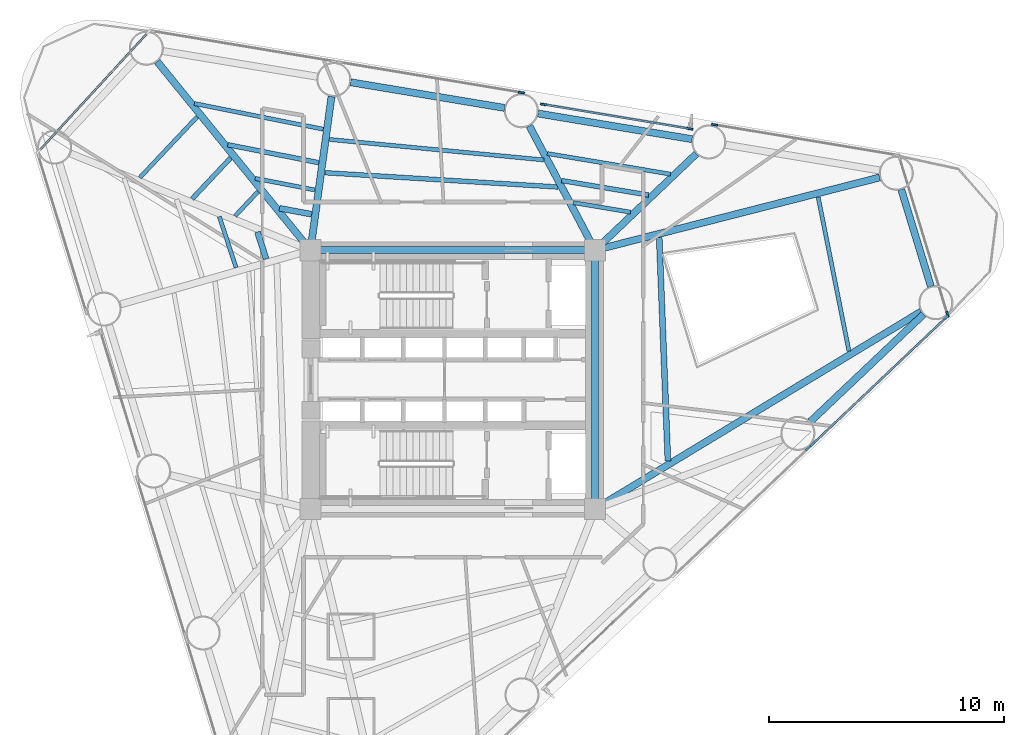
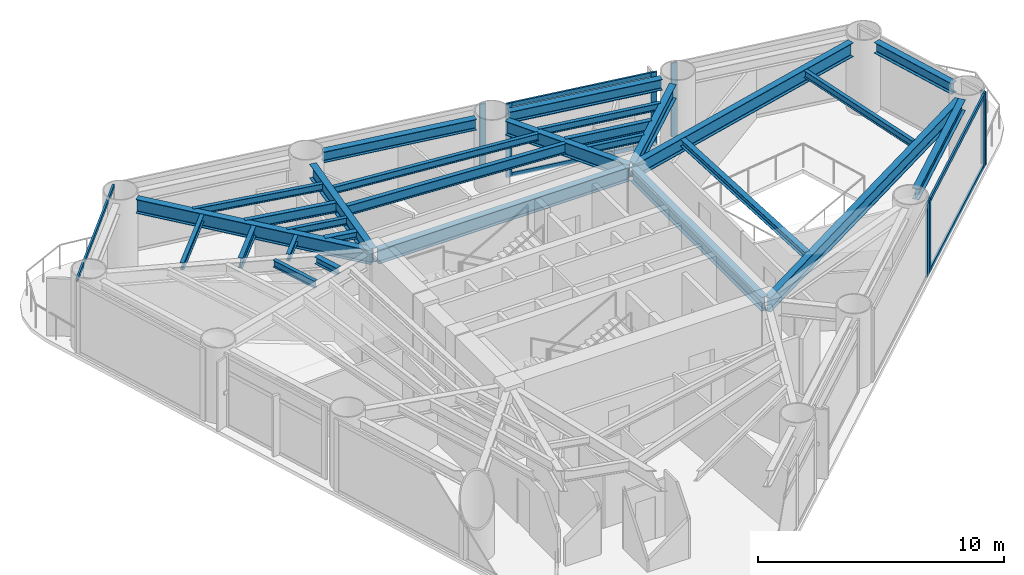
# One storey, part 3 of 10: 28 beams, 14 members, 7 elements without a shape of their own.
"""IFC4 building model written with IfcOpenShell, lengths in metres."""

from ifc_helpers import new_model, si_unit, direction, frame, origin, origin_2d, place, context, subcontext, project, spatial, rectangle, i_section, extrude, source, transform, mapped, material, layer, layer_set, material_profile, profile_set, type_object, element, aggregate, save


model = new_model("IFC4")

# Units and contexts
model_context = context("Model", 3, precision=1e-05, world=origin(), true_north=direction((0.0, 1.0)))
body_context = subcontext(model_context, "Body", "Model", "MODEL_VIEW")
ifc_project = project(units=[si_unit("LENGTHUNIT", "METRE"), si_unit("AREAUNIT", "SQUARE_METRE"), si_unit("VOLUMEUNIT", "CUBIC_METRE"), si_unit("PLANEANGLEUNIT", "RADIAN"), si_unit("MASSUNIT", "GRAM", prefix="KILO")], contexts=[model_context])

# Site, building, storey
site_placement = place(None, origin())
site = spatial("IfcSite", under=ifc_project, at=site_placement, CompositionType="ELEMENT")
building_placement = place(site_placement, origin())
building = spatial("IfcBuilding", under=site, at=building_placement, Name="Yunling Apex Tower", CompositionType="ELEMENT")
storey_placement = place(building_placement, frame((0.0, 0.0, 101.14990234375)))
storey = spatial("IfcBuildingStorey", under=building, at=storey_placement, Name="L25", CompositionType="ELEMENT", Elevation=101.14990234375)

# Beams
ifc_material_1 = material(Name="Steel Q355B", Category="steel")
ifc_material_profile_1 = material_profile(ifc_material_1, i_section(OverallWidth=0.300048828125, OverallDepth=0.699951171875, WebThickness=0.012939453125, FlangeThickness=0.02392578125, FilletRadius=0.02587890625, at=origin_2d()))
ifc_profile_set_1 = profile_set([ifc_material_profile_1], Name="Steel Q355B")
beam_type_1 = type_object("IfcBeamType", Name="BG-PRI-3", PredefinedType="USERDEFINED", material=ifc_profile_set_1)
shared_shape_1 = source(origin(), body_context, "Body", "SweptSolid", [
    extrude(i_section(OverallWidth=0.300048828125, OverallDepth=0.699951171875, WebThickness=0.012939453125, FlangeThickness=0.02392578125, FilletRadius=0.02587890625, at=origin_2d()), origin(), (0.0, 0.0, 1.0), 11.7998046875),
])
beam_1_placement = place(storey_placement, frame((5.89990234375, 5.5, 3.215087890625), z_axis=(-1.0, 0.0, 0.0), x_axis=(0.0, -1.0, 0.0)))
element("IfcBeam", 1, at=beam_1_placement, inside=storey, type_object=beam_type_1, Name="L25 Core Ring Tie Beam 3", ObjectType="GIRDER", PredefinedType="USERDEFINED", context=body_context, shape_type="MappedRepresentation", body=[
    mapped(shared_shape_1, transform((0.0, 0.0, 0.0), scale=1.0)),
])
shared_shape_2 = source(origin(), body_context, "Body", "SweptSolid", [
    extrude(i_section(OverallWidth=0.300048828125, OverallDepth=0.699951171875, WebThickness=0.012939453125, FlangeThickness=0.02392578125, FilletRadius=0.02587890625, at=origin_2d()), origin(), (0.0, 0.0, 1.0), 10.7001953125),
])
beam_2_placement = place(storey_placement, frame((6.050048828125, -5.35009765625, 3.215087890625), z_axis=(0.0, 1.0, 0.0), x_axis=(-1.0, 0.0, 0.0)))
element("IfcBeam", 2, at=beam_2_placement, inside=storey, type_object=beam_type_1, Name="L25 Core Ring Tie Beam 2", ObjectType="GIRDER", PredefinedType="USERDEFINED", context=body_context, shape_type="MappedRepresentation", body=[
    mapped(shared_shape_2, transform((0.0, 0.0, 0.0), scale=1.0)),
])
ifc_material_profile_2 = material_profile(ifc_material_1, i_section(OverallWidth=0.300048828125, OverallDepth=0.5400390625, WebThickness=0.011962890625, FlangeThickness=0.02001953125, FilletRadius=0.02392578125, at=origin_2d()))
ifc_profile_set_2 = profile_set([ifc_material_profile_2], Name="Steel Q355B")
beam_type_2 = type_object("IfcBeamType", Name="BP-SPN-1", PredefinedType="SPANDREL", material=ifc_profile_set_2)
shared_shape_3 = source(origin(), body_context, "Body", "SweptSolid", [
    extrude(i_section(OverallWidth=0.300048828125, OverallDepth=0.5400390625, WebThickness=0.011962890625, FlangeThickness=0.02001953125, FilletRadius=0.02392578125, at=origin_2d()), origin(), (0.0, 0.0, 1.0), 6.6416015625),
])
beam_3_placement = place(storey_placement, frame((15.194580078125, -1.79248046875, 3.295166015625), z_axis=(0.725873473547, 0.687828249203, 0.0), x_axis=(-0.687828249203, 0.725873473547, 0.0)))
element("IfcBeam", 3, at=beam_3_placement, inside=storey, type_object=beam_type_2, Name="L25 Perimeter Spandrel Beam 4", PredefinedType="SPANDREL", context=body_context, shape_type="MappedRepresentation", body=[
    mapped(shared_shape_3, transform((0.0, 0.0, 0.0), scale=1.0)),
])
shared_shape_4 = source(origin(), body_context, "Body", "SweptSolid", [
    extrude(i_section(OverallWidth=0.300048828125, OverallDepth=0.5400390625, WebThickness=0.011962890625, FlangeThickness=0.02001953125, FilletRadius=0.02392578125, at=origin_2d()), origin(), (0.0, 0.0, 1.0), 4.316162109375),
])
beam_4_placement = place(storey_placement, frame((20.327392578125, 3.9580078125, 3.295166015625), z_axis=(-0.29238810835, 0.956299740717, 0.0), x_axis=(-0.956299740717, -0.29238810835, 0.0)))
element("IfcBeam", 4, at=beam_4_placement, inside=storey, type_object=beam_type_2, Name="L25 Perimeter Spandrel Beam 5", PredefinedType="SPANDREL", context=body_context, shape_type="MappedRepresentation", body=[
    mapped(shared_shape_4, transform((0.0, 0.0, 0.0), scale=1.0)),
])
shared_shape_5 = source(origin(), body_context, "Body", "SweptSolid", [
    extrude(i_section(OverallWidth=0.300048828125, OverallDepth=0.5400390625, WebThickness=0.011962890625, FlangeThickness=0.02001953125, FilletRadius=0.02392578125, at=origin_2d()), origin(), (0.0, 0.0, 1.0), 6.641845703125),
])
for number, where, z_axis, x_axis, name in (
    (5, (10.176025390625, 10.21923828125, 3.295166015625), (-0.986402863526, 0.164345340146, 0.0), (-0.164345340146, -0.986402863526, 0.0), "L25 Perimeter Spandrel Beam 7"),
    (6, (2.206298828125, 11.547119140625, 3.295166015625), (-0.986396904036, 0.164381105081, 0.0), (-0.164381105081, -0.986396904036, 0.0), "L25 Perimeter Spandrel Beam 8"),
):
    element("IfcBeam", number, at=place(storey_placement, frame(where, z_axis=z_axis, x_axis=x_axis)), inside=storey, type_object=beam_type_2, Name=name, PredefinedType="SPANDREL", context=body_context, shape_type="MappedRepresentation", body=[
        mapped(shared_shape_5, transform((0.0, 0.0, 0.0), scale=1.0)),
    ])
shared_shape_6 = source(origin(), body_context, "Body", "SweptSolid", [
    extrude(i_section(OverallWidth=0.300048828125, OverallDepth=0.699951171875, WebThickness=0.012939453125, FlangeThickness=0.02392578125, FilletRadius=0.02587890625, at=origin_2d()), origin(), (0.0, 0.0, 1.0), 16.12255859375),
])
beam_5_placement = place(storey_placement, frame((19.91064453125, 2.890869140625, 3.215087890625), z_axis=(-0.855460711475, -0.517867715854, 0.0), x_axis=(0.517867715854, -0.855460711475, 0.0)))
element("IfcBeam", 7, at=beam_5_placement, inside=storey, type_object=beam_type_1, Name="L25 Radial Primary Girder R05", ObjectType="GIRDER", PredefinedType="USERDEFINED", context=body_context, shape_type="MappedRepresentation", body=[
    mapped(shared_shape_6, transform((0.0, 0.0, 0.0), scale=1.0)),
])
shared_shape_7 = source(origin(), body_context, "Body", "SweptSolid", [
    extrude(i_section(OverallWidth=0.300048828125, OverallDepth=0.699951171875, WebThickness=0.012939453125, FlangeThickness=0.02392578125, FilletRadius=0.02587890625, at=origin_2d()), origin(), (0.0, 0.0, 1.0), 12.404052734375),
])
beam_6_placement = place(storey_placement, frame((18.14501953125, 8.591552734375, 3.215087890625), z_axis=(-0.968850823376, -0.247645072723, 0.0), x_axis=(0.247645072723, -0.968850823376, 0.0)))
element("IfcBeam", 8, at=beam_6_placement, inside=storey, type_object=beam_type_1, Name="L25 Radial Primary Girder R06", ObjectType="GIRDER", PredefinedType="USERDEFINED", context=body_context, shape_type="MappedRepresentation", body=[
    mapped(shared_shape_7, transform((0.0, 0.0, 0.0), scale=1.0)),
])
shared_shape_8 = source(origin(), body_context, "Body", "SweptSolid", [
    extrude(i_section(OverallWidth=0.300048828125, OverallDepth=0.699951171875, WebThickness=0.012939453125, FlangeThickness=0.02392578125, FilletRadius=0.02587890625, at=origin_2d()), origin(), (0.0, 0.0, 1.0), 5.861572265625),
])
beam_7_placement = place(storey_placement, frame((10.354248046875, 9.595703125, 3.215087890625), z_axis=(-0.724444921608, -0.689332688588, 0.0), x_axis=(0.689332688588, -0.724444921608, 0.0)))
element("IfcBeam", 9, at=beam_7_placement, inside=storey, type_object=beam_type_1, Name="L25 Radial Primary Girder R07", ObjectType="GIRDER", PredefinedType="USERDEFINED", context=body_context, shape_type="MappedRepresentation", body=[
    mapped(shared_shape_8, transform((0.0, 0.0, 0.0), scale=1.0)),
])
shared_shape_9 = source(origin(), body_context, "Body", "SweptSolid", [
    extrude(i_section(OverallWidth=0.300048828125, OverallDepth=0.699951171875, WebThickness=0.012939453125, FlangeThickness=0.02392578125, FilletRadius=0.02587890625, at=origin_2d()), origin(), (0.0, 0.0, 1.0), 5.8935546875),
])
beam_8_placement = place(storey_placement, frame((3.258056640625, 10.781005859375, 3.215087890625), z_axis=(0.467396595772, -0.884047748858, 0.0), x_axis=(0.884047748858, 0.467396595772, 0.0)))
element("IfcBeam", 10, at=beam_8_placement, inside=storey, type_object=beam_type_1, Name="L25 Radial Primary Girder R08", ObjectType="GIRDER", PredefinedType="USERDEFINED", context=body_context, shape_type="MappedRepresentation", body=[
    mapped(shared_shape_9, transform((0.0, 0.0, 0.0), scale=1.0)),
])
shared_shape_10 = source(origin(), body_context, "Body", "SweptSolid", [
    extrude(i_section(OverallWidth=0.300048828125, OverallDepth=0.699951171875, WebThickness=0.012939453125, FlangeThickness=0.02392578125, FilletRadius=0.02587890625, at=origin_2d()), origin(), (0.0, 0.0, 1.0), 6.51171875),
])
beam_9_placement = place(storey_placement, frame((-5.154052734375, 12.03076171875, 3.215087890625), z_axis=(-0.135907866291, -0.990721480478, 0.0), x_axis=(0.990721480478, -0.135907866291, 0.0)))
element("IfcBeam", 11, at=beam_9_placement, inside=storey, type_object=beam_type_1, Name="L25 Radial Primary Girder R09", ObjectType="GIRDER", PredefinedType="USERDEFINED", context=body_context, shape_type="MappedRepresentation", body=[
    mapped(shared_shape_10, transform((0.0, 0.0, 0.0), scale=1.0)),
])
shared_shape_11 = source(origin(), body_context, "Body", "SweptSolid", [
    extrude(i_section(OverallWidth=0.300048828125, OverallDepth=0.699951171875, WebThickness=0.012939453125, FlangeThickness=0.02392578125, FilletRadius=0.02587890625, at=origin_2d()), origin(), (0.0, 0.0, 1.0), 10.248046875),
])
beam_10_placement = place(storey_placement, frame((-12.56201171875, 13.51611328125, 3.215087890625), z_axis=(0.630531635465, -0.776163550212, 0.0), x_axis=(0.776163550212, 0.630531635465, 0.0)))
element("IfcBeam", 12, at=beam_10_placement, inside=storey, type_object=beam_type_1, Name="L25 Radial Primary Girder R10", ObjectType="GIRDER", PredefinedType="USERDEFINED", context=body_context, shape_type="MappedRepresentation", body=[
    mapped(shared_shape_11, transform((0.0, 0.0, 0.0), scale=1.0)),
])
ifc_material_profile_3 = material_profile(ifc_material_1, i_section(OverallWidth=0.175048828125, OverallDepth=0.35009765625, WebThickness=0.007080078125, FlangeThickness=0.010986328125, FilletRadius=0.013916015625, at=origin_2d()))
ifc_profile_set_3 = profile_set([ifc_material_profile_3], Name="Steel Q355B")
beam_type_3 = type_object("IfcBeamType", Name="BJ-JST-1", PredefinedType="JOIST", material=ifc_profile_set_3)
shared_shape_12 = source(origin(), body_context, "Body", "SweptSolid", [
    extrude(i_section(OverallWidth=0.175048828125, OverallDepth=0.35009765625, WebThickness=0.007080078125, FlangeThickness=0.010986328125, FilletRadius=0.013916015625, at=origin_2d()), origin(), (0.0, 0.0, 1.0), 6.677978515625),
])
beam_11_placement = place(storey_placement, frame((16.844970703125, 1.2109375, 3.39013671875), z_axis=(-0.196502798026, 0.980503263823, 0.0), x_axis=(-0.980503263823, -0.196502798026, 0.0)))
element("IfcBeam", 13, at=beam_11_placement, inside=storey, type_object=beam_type_3, Name="L25 Composite Floor Joist BJ1-5", PredefinedType="JOIST", context=body_context, shape_type="MappedRepresentation", body=[
    mapped(shared_shape_12, transform((0.0, 0.0, 0.0), scale=1.0)),
])
ifc_material_profile_4 = material_profile(ifc_material_1, i_section(OverallWidth=0.25, OverallDepth=0.340087890625, WebThickness=0.009033203125, FlangeThickness=0.013916015625, FilletRadius=0.01806640625, at=origin_2d()))
ifc_profile_set_4 = profile_set([ifc_material_profile_4], Name="Steel Q355B")
beam_type_4 = type_object("IfcBeamType", Name="BJ-JST-2", PredefinedType="JOIST", material=ifc_profile_set_4)
shared_shape_13 = source(origin(), body_context, "Body", "SweptSolid", [
    extrude(i_section(OverallWidth=0.25, OverallDepth=0.340087890625, WebThickness=0.009033203125, FlangeThickness=0.013916015625, FilletRadius=0.01806640625, at=origin_2d()), origin(), (0.0, 0.0, 1.0), 9.504638671875),
])
beam_12_placement = place(storey_placement, frame((9.146484375, -3.4619140625, 3.39501953125), z_axis=(-0.038811925144, 0.999246533377, 0.0), x_axis=(-0.999246533377, -0.038811925144, 0.0)))
element("IfcBeam", 14, at=beam_12_placement, inside=storey, type_object=beam_type_4, Name="L25 Composite Floor Joist BJ2-5", PredefinedType="JOIST", context=body_context, shape_type="MappedRepresentation", body=[
    mapped(shared_shape_13, transform((0.0, 0.0, 0.0), scale=1.0)),
])
ifc_material_profile_5 = material_profile(ifc_material_1, i_section(OverallWidth=0.199951171875, OverallDepth=0.5, WebThickness=0.010009765625, FlangeThickness=0.01611328125, FilletRadius=0.02001953125, at=origin_2d()))
ifc_profile_set_5 = profile_set([ifc_material_profile_5], Name="Steel Q355B")
beam_type_5 = type_object("IfcBeamType", Name="BS-SEC-2", PredefinedType="BEAM", material=ifc_profile_set_5)
shared_shape_14 = source(origin(), body_context, "Body", "SweptSolid", [
    extrude(i_section(OverallWidth=0.199951171875, OverallDepth=0.5, WebThickness=0.010009765625, FlangeThickness=0.01611328125, FilletRadius=0.02001953125, at=origin_2d()), origin(), (0.0, 0.0, 1.0), 3.751708984375),
])
beam_13_placement = place(storey_placement, frame((8.328125, 7.84423828125, 3.315185546875), z_axis=(-0.986342871573, 0.164705008112, 0.0), x_axis=(-0.164705008112, -0.986342871573, 0.0)))
element("IfcBeam", 15, at=beam_13_placement, inside=storey, type_object=beam_type_5, Name="L25 Composite Floor Beam BS-7", PredefinedType="BEAM", context=body_context, shape_type="MappedRepresentation", body=[
    mapped(shared_shape_14, transform((0.0, 0.0, 0.0), scale=1.0)),
])
shared_shape_15 = source(origin(), body_context, "Body", "SweptSolid", [
    extrude(i_section(OverallWidth=0.175048828125, OverallDepth=0.35009765625, WebThickness=0.007080078125, FlangeThickness=0.010986328125, FilletRadius=0.013916015625, at=origin_2d()), origin(), (0.0, 0.0, 1.0), 5.31298828125),
])
beam_14_placement = place(storey_placement, frame((9.26220703125, 8.733154296875, 3.39013671875), z_axis=(-0.9863379805, 0.164734295835, 0.0), x_axis=(-0.164734295835, -0.9863379805, 0.0)))
element("IfcBeam", 16, at=beam_14_placement, inside=storey, type_object=beam_type_3, Name="L25 Composite Floor Joist BJ1-7", PredefinedType="JOIST", context=body_context, shape_type="MappedRepresentation", body=[
    mapped(shared_shape_15, transform((0.0, 0.0, 0.0), scale=1.0)),
])
shared_shape_16 = source(origin(), body_context, "Body", "SweptSolid", [
    extrude(i_section(OverallWidth=0.175048828125, OverallDepth=0.35009765625, WebThickness=0.007080078125, FlangeThickness=0.010986328125, FilletRadius=0.013916015625, at=origin_2d()), origin(), (0.0, 0.0, 1.0), 2.4736328125),
])
beam_15_placement = place(storey_placement, frame((7.563720703125, 7.116943359375, 3.39013671875), z_axis=(-0.986340524185, 0.164719064925, 0.0), x_axis=(-0.164719064925, -0.986340524185, 0.0)))
element("IfcBeam", 17, at=beam_15_placement, inside=storey, type_object=beam_type_3, Name="L25 Composite Floor Joist BJ3-7", PredefinedType="JOIST", context=body_context, shape_type="MappedRepresentation", body=[
    mapped(shared_shape_16, transform((0.0, 0.0, 0.0), scale=1.0)),
])
shared_shape_17 = source(origin(), body_context, "Body", "SweptSolid", [
    extrude(i_section(OverallWidth=0.199951171875, OverallDepth=0.5, WebThickness=0.010009765625, FlangeThickness=0.01611328125, FilletRadius=0.02001953125, at=origin_2d()), origin(), (0.0, 0.0, 1.0), 9.931396484375),
])
beam_16_placement = place(storey_placement, frame((4.4755859375, 8.185791015625, 3.315185546875), z_axis=(-0.998115763158, 0.061358971106, 0.0), x_axis=(-0.061358971106, -0.998115763158, 0.0)))
element("IfcBeam", 18, at=beam_16_placement, inside=storey, type_object=beam_type_5, Name="L25 Composite Floor Beam BS-8", PredefinedType="BEAM", context=body_context, shape_type="MappedRepresentation", body=[
    mapped(shared_shape_17, transform((0.0, 0.0, 0.0), scale=1.0)),
])
shared_shape_18 = source(origin(), body_context, "Body", "SweptSolid", [
    extrude(i_section(OverallWidth=0.175048828125, OverallDepth=0.35009765625, WebThickness=0.007080078125, FlangeThickness=0.010986328125, FilletRadius=0.013916015625, at=origin_2d()), origin(), (0.0, 0.0, 1.0), 9.154296875),
])
beam_17_placement = place(storey_placement, frame((3.8701171875, 9.33740234375, 3.39013671875), z_axis=(-0.99545727606, 0.095209303851, 0.0), x_axis=(-0.095209303851, -0.99545727606, 0.0)))
element("IfcBeam", 19, at=beam_17_placement, inside=storey, type_object=beam_type_3, Name="L25 Composite Floor Joist BJ1-8", PredefinedType="JOIST", context=body_context, shape_type="MappedRepresentation", body=[
    mapped(shared_shape_18, transform((0.0, 0.0, 0.0), scale=1.0)),
])
shared_shape_19 = source(origin(), body_context, "Body", "SweptSolid", [
    extrude(i_section(OverallWidth=0.199951171875, OverallDepth=0.5, WebThickness=0.010009765625, FlangeThickness=0.01611328125, FilletRadius=0.02001953125, at=origin_2d()), origin(), (0.0, 0.0, 1.0), 3.93603515625),
])
beam_18_placement = place(storey_placement, frame((-5.700439453125, 9.22314453125, 3.315185546875), z_axis=(-0.981071392503, 0.193646386002, 0.0), x_axis=(-0.193646386002, -0.981071392503, 0.0)))
element("IfcBeam", 20, at=beam_18_placement, inside=storey, type_object=beam_type_5, Name="L25 Composite Floor Beam BS-9", PredefinedType="BEAM", context=body_context, shape_type="MappedRepresentation", body=[
    mapped(shared_shape_19, transform((0.0, 0.0, 0.0), scale=1.0)),
])
shared_shape_20 = source(origin(), body_context, "Body", "SweptSolid", [
    extrude(i_section(OverallWidth=0.175048828125, OverallDepth=0.35009765625, WebThickness=0.007080078125, FlangeThickness=0.010986328125, FilletRadius=0.013916015625, at=origin_2d()), origin(), (0.0, 0.0, 1.0), 5.5859375),
])
beam_19_placement = place(storey_placement, frame((-5.505615234375, 10.642822265625, 3.39013671875), z_axis=(-0.980703200221, 0.195502514243, 0.0), x_axis=(-0.195502514243, -0.980703200221, 0.0)))
element("IfcBeam", 21, at=beam_19_placement, inside=storey, type_object=beam_type_3, Name="L25 Composite Floor Joist BJ1-9", PredefinedType="JOIST", context=body_context, shape_type="MappedRepresentation", body=[
    mapped(shared_shape_20, transform((0.0, 0.0, 0.0), scale=1.0)),
])
shared_shape_21 = source(origin(), body_context, "Body", "SweptSolid", [
    extrude(i_section(OverallWidth=0.175048828125, OverallDepth=0.35009765625, WebThickness=0.007080078125, FlangeThickness=0.010986328125, FilletRadius=0.013916015625, at=origin_2d()), origin(), (0.0, 0.0, 1.0), 2.586181640625),
])
beam_20_placement = place(storey_placement, frame((-5.85986328125, 8.061279296875, 3.39013671875), z_axis=(-0.981668903035, 0.190594241295, 0.0), x_axis=(-0.190594241295, -0.981668903035, 0.0)))
element("IfcBeam", 22, at=beam_20_placement, inside=storey, type_object=beam_type_3, Name="L25 Composite Floor Joist BJ3-9", PredefinedType="JOIST", context=body_context, shape_type="MappedRepresentation", body=[
    mapped(shared_shape_21, transform((0.0, 0.0, 0.0), scale=1.0)),
])
shared_shape_22 = source(origin(), body_context, "Body", "SweptSolid", [
    extrude(i_section(OverallWidth=0.25, OverallDepth=0.340087890625, WebThickness=0.009033203125, FlangeThickness=0.013916015625, FilletRadius=0.01806640625, at=origin_2d()), origin(), (0.0, 0.0, 1.0), 1.38671875),
])
beam_21_placement = place(storey_placement, frame((-6.001708984375, 7.028076171875, 3.39501953125), z_axis=(-0.982993560329, 0.183640029272, 0.0), x_axis=(-0.183640029272, -0.982993560329, 0.0)))
element("IfcBeam", 23, at=beam_21_placement, inside=storey, type_object=beam_type_4, Name="L25 Composite Floor Joist BJ2-9", PredefinedType="JOIST", context=body_context, shape_type="MappedRepresentation", body=[
    mapped(shared_shape_22, transform((0.0, 0.0, 0.0), scale=1.0)),
])
shared_shape_23 = source(origin(), body_context, "Body", "SweptSolid", [
    extrude(i_section(OverallWidth=0.199951171875, OverallDepth=0.5, WebThickness=0.010009765625, FlangeThickness=0.01611328125, FilletRadius=0.02001953125, at=origin_2d()), origin(), (0.0, 0.0, 1.0), 2.385498046875),
])
beam_22_placement = place(storey_placement, frame((-9.44091796875, 9.422607421875, 3.315185546875), z_axis=(-0.685604091154, -0.727974608207, 0.0), x_axis=(0.727974608207, -0.685604091154, 0.0)))
element("IfcBeam", 24, at=beam_22_placement, inside=storey, type_object=beam_type_5, Name="L25 Composite Floor Beam BS-10", PredefinedType="BEAM", context=body_context, shape_type="MappedRepresentation", body=[
    mapped(shared_shape_23, transform((0.0, 0.0, 0.0), scale=1.0)),
])
shared_shape_24 = source(origin(), body_context, "Body", "SweptSolid", [
    extrude(i_section(OverallWidth=0.175048828125, OverallDepth=0.35009765625, WebThickness=0.007080078125, FlangeThickness=0.010986328125, FilletRadius=0.013916015625, at=origin_2d()), origin(), (0.0, 0.0, 1.0), 3.558349609375),
])
beam_23_placement = place(storey_placement, frame((-10.862548828125, 11.172607421875, 3.39013671875), z_axis=(-0.685976545908, -0.727623651666, 0.0), x_axis=(0.727623651666, -0.685976545908, 0.0)))
element("IfcBeam", 25, at=beam_23_placement, inside=storey, type_object=beam_type_3, Name="L25 Composite Floor Joist BJ1-10", PredefinedType="JOIST", context=body_context, shape_type="MappedRepresentation", body=[
    mapped(shared_shape_24, transform((0.0, 0.0, 0.0), scale=1.0)),
])
shared_shape_25 = source(origin(), body_context, "Body", "SweptSolid", [
    extrude(i_section(OverallWidth=0.175048828125, OverallDepth=0.35009765625, WebThickness=0.007080078125, FlangeThickness=0.010986328125, FilletRadius=0.013916015625, at=origin_2d()), origin(), (0.0, 0.0, 1.0), 1.42578125),
])
beam_24_placement = place(storey_placement, frame((-8.277587890625, 7.99072265625, 3.39013671875), z_axis=(-0.68493728069, -0.728602032334, 0.0), x_axis=(0.728602032334, -0.68493728069, 0.0)))
element("IfcBeam", 26, at=beam_24_placement, inside=storey, type_object=beam_type_3, Name="L25 Composite Floor Joist BJ3-10", PredefinedType="JOIST", context=body_context, shape_type="MappedRepresentation", body=[
    mapped(shared_shape_25, transform((0.0, 0.0, 0.0), scale=1.0)),
])
shared_shape_26 = source(origin(), body_context, "Body", "SweptSolid", [
    extrude(i_section(OverallWidth=0.175048828125, OverallDepth=0.35009765625, WebThickness=0.007080078125, FlangeThickness=0.010986328125, FilletRadius=0.013916015625, at=origin_2d()), origin(), (0.0, 0.0, 1.0), 2.277099609375),
])
beam_25_placement = place(storey_placement, frame((-9.92138671875, 6.927978515625, 3.39013671875), z_axis=(0.311044342957, -0.950395400196, 0.0), x_axis=(0.950395400196, 0.311044342957, 0.0)))
element("IfcBeam", 27, at=beam_25_placement, inside=storey, type_object=beam_type_3, Name="L25 Composite Floor Joist BJ3-11", PredefinedType="JOIST", context=body_context, shape_type="MappedRepresentation", body=[
    mapped(shared_shape_26, transform((0.0, 0.0, 0.0), scale=1.0)),
])
shared_shape_27 = source(origin(), body_context, "Body", "SweptSolid", [
    extrude(i_section(OverallWidth=0.25, OverallDepth=0.340087890625, WebThickness=0.009033203125, FlangeThickness=0.013916015625, FilletRadius=0.01806640625, at=origin_2d()), origin(), (0.0, 0.0, 1.0), 1.2041015625),
])
beam_26_placement = place(storey_placement, frame((-8.302490234375, 6.275146484375, 3.39501953125), z_axis=(0.306173262139, -0.951975805129, 0.0), x_axis=(0.951975805129, 0.306173262139, 0.0)))
element("IfcBeam", 28, at=beam_26_placement, inside=storey, type_object=beam_type_4, Name="L25 Composite Floor Joist BJ2-11", PredefinedType="JOIST", context=body_context, shape_type="MappedRepresentation", body=[
    mapped(shared_shape_27, transform((0.0, 0.0, 0.0), scale=1.0)),
])

# Curtain wall, member
ifc_material_2 = material(Name="Bronze anodised aluminium", Category="aluminium")
ifc_layer = layer(ifc_material_2, 0.260009765625)
ifc_layer_set = layer_set([ifc_layer], Name="Bronze anodised aluminium")
curtain_wall_type = type_object("IfcCurtainWallType", Name="CW-SYS-2", PredefinedType="NOTDEFINED", material=ifc_layer_set)
curtain_wall_1_placement = place(storey_placement, origin())
curtain_wall_1 = element("IfcCurtainWall", 29, at=curtain_wall_1_placement, inside=storey, type_object=curtain_wall_type, Name="CW-L25-F1-B3", PredefinedType="NOTDEFINED")
ifc_material_profile_6 = material_profile(ifc_material_2, rectangle(XDim=0.0849609375, YDim=0.260009765625, at=origin_2d()))
ifc_profile_set_6 = profile_set([ifc_material_profile_6], Name="Bronze anodised aluminium")
member_type_1 = type_object("IfcMemberType", Name="CW-MUL-2", PredefinedType="MULLION", material=ifc_profile_set_6)
shared_shape_28 = source(origin(), body_context, "Body", "SweptSolid", [
    extrude(rectangle(XDim=0.0849609375, YDim=0.260009765625, at=origin_2d()), origin(), (0.0, 0.0, 1.0), 3.664794921875),
])
member_1_placement = place(storey_placement, frame((15.106689453125, -2.923095703125, -0.0498046875), z_axis=(0.0, 0.0, 1.0), x_axis=(-0.687861264918, 0.72584218686, 0.0)))
member_1 = element("IfcMember", 30, at=member_1_placement, type_object=member_type_1, Name="CW-SYS-2 mullion 2", PredefinedType="MULLION", context=body_context, shape_type="MappedRepresentation", body=[
    mapped(shared_shape_28, transform((0.0, 0.0, 0.0), scale=1.0)),
])
aggregate(curtain_wall_1, [member_1])

# Curtain wall, members
curtain_wall_2_placement = place(storey_placement, origin())
curtain_wall_2 = element("IfcCurtainWall", 31, at=curtain_wall_2_placement, inside=storey, type_object=curtain_wall_type, Name="CW-L25-F1-B4", PredefinedType="NOTDEFINED")
member_2_placement = place(storey_placement, frame((15.28466796875, -2.754638671875, -0.0498046875), z_axis=(0.0, 0.0, 1.0), x_axis=(-0.687861264918, 0.72584218686, 0.0)))
member_2 = element("IfcMember", 32, at=member_2_placement, type_object=member_type_1, Name="CW-SYS-2 mullion 1", PredefinedType="MULLION", context=body_context, shape_type="MappedRepresentation", body=[
    mapped(shared_shape_28, transform((0.0, 0.0, 0.0), scale=1.0)),
])
member_3_placement = place(storey_placement, frame((20.971435546875, 2.634765625, -0.0498046875), z_axis=(0.0, 0.0, 1.0), x_axis=(-0.687861264918, 0.72584218686, 0.0)))
member_3 = element("IfcMember", 33, at=member_3_placement, type_object=member_type_1, Name="CW-SYS-2 mullion 2", PredefinedType="MULLION", context=body_context, shape_type="MappedRepresentation", body=[
    mapped(shared_shape_28, transform((0.0, 0.0, 0.0), scale=1.0)),
])

# Curtain wall, member
curtain_wall_3_placement = place(storey_placement, origin())
curtain_wall_3 = element("IfcCurtainWall", 34, at=curtain_wall_3_placement, inside=storey, type_object=curtain_wall_type, Name="CW-L25-CRN1", PredefinedType="NOTDEFINED")
member_4_placement = place(storey_placement, frame((21.0341796875, 2.77392578125, -0.0498046875), z_axis=(0.0, 0.0, 1.0), x_axis=(-0.95630374567, -0.292375009223, 0.0)))
member_4 = element("IfcMember", 35, at=member_4_placement, type_object=member_type_1, Name="CW-SYS-2 mullion 1", PredefinedType="MULLION", context=body_context, shape_type="MappedRepresentation", body=[
    mapped(shared_shape_28, transform((0.0, 0.0, 0.0), scale=1.0)),
])
aggregate(curtain_wall_3, [member_4])

curtain_wall_4_placement = place(storey_placement, origin())
curtain_wall_4 = element("IfcCurtainWall", 36, at=curtain_wall_4_placement, inside=storey, type_object=curtain_wall_type, Name="CW-L25-F2-B1", PredefinedType="NOTDEFINED")
member_5_placement = place(storey_placement, frame((11.131103515625, 10.83056640625, -0.0498046875), z_axis=(0.0, 0.0, 1.0), x_axis=(-0.16436008369, -0.98640040698, 0.0)))
member_5 = element("IfcMember", 37, at=member_5_placement, type_object=member_type_1, Name="CW-SYS-2 mullion 2", PredefinedType="MULLION", context=body_context, shape_type="MappedRepresentation", body=[
    mapped(shared_shape_28, transform((0.0, 0.0, 0.0), scale=1.0)),
])
aggregate(curtain_wall_4, [member_5])

# Curtain wall, members
curtain_wall_5_placement = place(storey_placement, origin())
curtain_wall_5 = element("IfcCurtainWall", 38, at=curtain_wall_5_placement, inside=storey, type_object=curtain_wall_type, Name="CW-L25-F2-B2", PredefinedType="NOTDEFINED")
member_6_placement = place(storey_placement, frame((10.078857421875, 10.6611328125, -0.0498046875), z_axis=(0.0, 0.0, 1.0), x_axis=(-0.164355844023, -0.986401113409, 0.0)))
member_6 = element("IfcMember", 39, at=member_6_placement, type_object=member_type_1, Name="CW-SYS-2 mullion 1", PredefinedType="MULLION", context=body_context, shape_type="MappedRepresentation", body=[
    mapped(shared_shape_28, transform((0.0, 0.0, 0.0), scale=1.0)),
])
member_7_placement = place(storey_placement, frame((3.85986328125, 11.697509765625, -0.0498046875), z_axis=(0.0, 0.0, 1.0), x_axis=(-0.164355844023, -0.986401113409, 0.0)))
member_7 = element("IfcMember", 40, at=member_7_placement, type_object=member_type_1, Name="CW-SYS-2 mullion 2", PredefinedType="MULLION", context=body_context, shape_type="MappedRepresentation", body=[
    mapped(shared_shape_28, transform((0.0, 0.0, 0.0), scale=1.0)),
])

# Curtain wall, member
curtain_wall_6_placement = place(storey_placement, origin())
curtain_wall_6 = element("IfcCurtainWall", 41, at=curtain_wall_6_placement, inside=storey, type_object=curtain_wall_type, Name="CW-L25-F2-B3", PredefinedType="NOTDEFINED")
member_8_placement = place(storey_placement, frame((2.91943359375, 12.198974609375, -0.0498046875), z_axis=(0.0, 0.0, 1.0), x_axis=(-0.164362130784, -0.986400065878, 0.0)))
member_8 = element("IfcMember", 42, at=member_8_placement, type_object=member_type_1, Name="CW-SYS-2 mullion 1", PredefinedType="MULLION", context=body_context, shape_type="MappedRepresentation", body=[
    mapped(shared_shape_28, transform((0.0, 0.0, 0.0), scale=1.0)),
])
aggregate(curtain_wall_6, [member_8])

# Member
ifc_material_profile_7 = material_profile(ifc_material_2, rectangle(XDim=0.0849609375, YDim=0.199951171875, at=origin_2d()))
ifc_profile_set_7 = profile_set([ifc_material_profile_7], Name="Bronze anodised aluminium")
member_type_2 = type_object("IfcMemberType", Name="CW-TRN-2", PredefinedType="USERDEFINED", material=ifc_profile_set_7)
shared_shape_29 = source(origin(), body_context, "Body", "SweptSolid", [
    extrude(rectangle(XDim=0.0849609375, YDim=0.199951171875, at=origin_2d()), origin(), (0.0, 0.0, 1.0), 7.75830078125),
])
member_9_placement = place(storey_placement, frame((15.312255859375, -2.728271484375, 0.04248046875), z_axis=(0.725842697135, 0.687860726467, 0.0), x_axis=(-0.687860726467, 0.725842697135, 0.0)))
member_9 = element("IfcMember", 43, at=member_9_placement, type_object=member_type_2, Name="CW-SYS-2 transom 1.1", ObjectType="TRANSOM", PredefinedType="USERDEFINED", context=body_context, shape_type="MappedRepresentation", body=[
    mapped(shared_shape_29, transform((0.0, 0.0, 0.0), scale=1.0)),
])

member_10_placement = place(storey_placement, frame((15.312255859375, -2.728271484375, 3.522705078125), z_axis=(0.725842697135, 0.687860726467, 0.0), x_axis=(-0.687860726467, 0.725842697135, 0.0)))
member_10 = element("IfcMember", 44, at=member_10_placement, type_object=member_type_2, Name="CW-SYS-2 transom 1.2", ObjectType="TRANSOM", PredefinedType="USERDEFINED", context=body_context, shape_type="MappedRepresentation", body=[
    mapped(shared_shape_29, transform((0.0, 0.0, 0.0), scale=1.0)),
])

aggregate(curtain_wall_2, [member_2, member_3, member_9, member_10])

shared_shape_30 = source(origin(), body_context, "Body", "SweptSolid", [
    extrude(rectangle(XDim=0.0849609375, YDim=0.199951171875, at=origin_2d()), origin(), (0.0, 0.0, 1.0), 6.228515625),
])
member_11_placement = place(storey_placement, frame((10.041259765625, 10.66748046875, 0.04248046875), z_axis=(-0.986401338544, 0.164354492848, 0.0), x_axis=(-0.164354492848, -0.986401338544, 0.0)))
member_11 = element("IfcMember", 45, at=member_11_placement, type_object=member_type_2, Name="CW-SYS-2 transom 1.1", ObjectType="TRANSOM", PredefinedType="USERDEFINED", context=body_context, shape_type="MappedRepresentation", body=[
    mapped(shared_shape_30, transform((0.0, 0.0, 0.0), scale=1.0)),
])

member_12_placement = place(storey_placement, frame((10.041259765625, 10.66748046875, 2.715087890625), z_axis=(-0.986401338544, 0.164354492848, 0.0), x_axis=(-0.164354492848, -0.986401338544, 0.0)))
member_12 = element("IfcMember", 46, at=member_12_placement, type_object=member_type_2, Name="CW-SYS-2 transom 1.2", ObjectType="TRANSOM", PredefinedType="USERDEFINED", context=body_context, shape_type="MappedRepresentation", body=[
    mapped(shared_shape_30, transform((0.0, 0.0, 0.0), scale=1.0)),
])

member_13_placement = place(storey_placement, frame((10.041259765625, 10.66748046875, 3.522705078125), z_axis=(-0.986401338544, 0.164354492848, 0.0), x_axis=(-0.164354492848, -0.986401338544, 0.0)))
member_13 = element("IfcMember", 47, at=member_13_placement, type_object=member_type_2, Name="CW-SYS-2 transom 1.3", ObjectType="TRANSOM", PredefinedType="USERDEFINED", context=body_context, shape_type="MappedRepresentation", body=[
    mapped(shared_shape_30, transform((0.0, 0.0, 0.0), scale=1.0)),
])

aggregate(curtain_wall_5, [member_6, member_7, member_11, member_12, member_13])

# Curtain wall, member
curtain_wall_7_placement = place(storey_placement, origin())
curtain_wall_7 = element("IfcCurtainWall", 48, at=curtain_wall_7_placement, inside=storey, type_object=curtain_wall_type, Name="CW-L25-CRN2", PredefinedType="NOTDEFINED")
shared_shape_31 = source(origin(), body_context, "Body", "SweptSolid", [
    extrude(rectangle(XDim=0.0849609375, YDim=0.199951171875, at=origin_2d()), origin(), (0.0, 0.0, 1.0), 6.831298828125),
])
member_14_placement = place(storey_placement, frame((-12.957275390625, 14.755615234375, 3.522705078125), z_axis=(-0.676783953504, -0.73618168972, 0.0), x_axis=(0.73618168972, -0.676783953504, 0.0)))
member_14 = element("IfcMember", 49, at=member_14_placement, type_object=member_type_2, Name="CW-SYS-2 transom 1.2", ObjectType="TRANSOM", PredefinedType="USERDEFINED", context=body_context, shape_type="MappedRepresentation", body=[
    mapped(shared_shape_31, transform((0.0, 0.0, 0.0), scale=1.0)),
])
aggregate(curtain_wall_7, [member_14])

save(model, "model.ifc")
